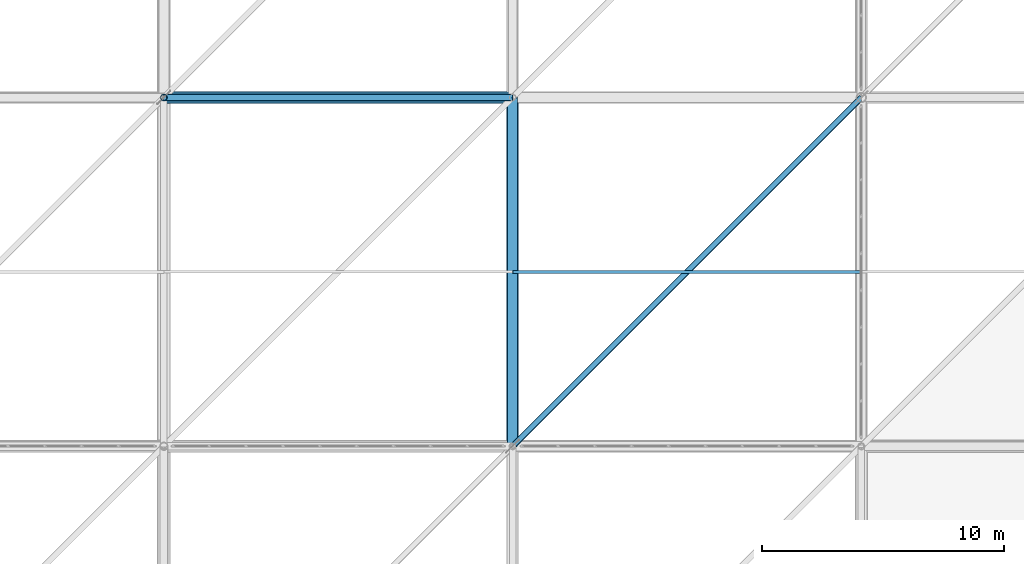
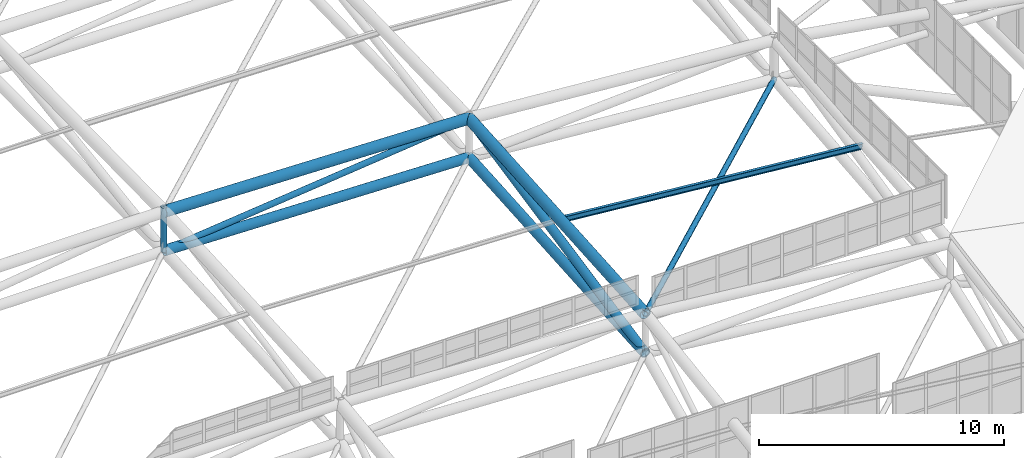
# One storey, part 132 of 397: 5 members, 4 beams.
"""IFC4 building model written with IfcOpenShell, lengths in metres."""

from ifc_helpers import new_model, si_unit, direction, frame, origin, origin_2d, place, context, subcontext, project, spatial, hollow_circle, i_section, extrude, material, material_profile, profile_set, type_object, element, save


model = new_model("IFC4")

# Units and contexts
model_context = context("Model", 3, precision=1e-05, world=origin(), true_north=direction((0.0, 1.0)))
body_context = subcontext(model_context, "Body", "Model", "MODEL_VIEW")
ifc_project = project(units=[si_unit("LENGTHUNIT", "METRE"), si_unit("AREAUNIT", "SQUARE_METRE"), si_unit("VOLUMEUNIT", "CUBIC_METRE"), si_unit("PLANEANGLEUNIT", "RADIAN"), si_unit("MASSUNIT", "GRAM", prefix="KILO")], contexts=[model_context])

# Site, building, storey
site_placement = place(None, origin())
site = spatial("IfcSite", under=ifc_project, at=site_placement, CompositionType="ELEMENT")
building_placement = place(site_placement, origin())
building = spatial("IfcBuilding", under=site, at=building_placement, Name="Qandorah Velis Arena", CompositionType="ELEMENT")
storey_placement = place(building_placement, frame((0.0, 0.0, 27.5)))
storey = spatial("IfcBuildingStorey", under=building, at=storey_placement, Name="RF", CompositionType="ELEMENT", Elevation=27.5)

# Member
ifc_material_1 = material(Name="Steel S355", Category="steel")
ifc_material_profile_1 = material_profile(ifc_material_1, i_section(OverallWidth=0.135009765625, OverallDepth=0.27001953125, WebThickness=0.006591796875, FlangeThickness=0.01025390625, FilletRadius=0.014892578125, at=origin_2d()), Name="IPE 270")
ifc_profile_set_1 = profile_set([ifc_material_profile_1], Name="Steel S355")
member_type_1 = type_object("IfcMemberType", Name="STR-PRL-IPE270", PredefinedType="PURLIN", material=ifc_profile_set_1)
member_1_placement = place(storey_placement, frame((86.39990234375, 36.0, 9.254150390625), z_axis=(0.995870478615, 0.0, -0.090785405346), x_axis=(0.0, 1.0, 0.0)))
element("IfcMember", 1, at=member_1_placement, inside=storey, type_object=member_type_1, Name="Arena roof purlin PRL-5.1", PredefinedType="PURLIN", context=body_context, shape_type="SweptSolid", body=[
    extrude(i_section(OverallWidth=0.135009765625, OverallDepth=0.27001953125, WebThickness=0.006591796875, FlangeThickness=0.01025390625, FilletRadius=0.014892578125, at=origin_2d()), origin(), (0.0, 0.0, 1.0), 14.4599609375),
])

# Beams
ifc_material_profile_2 = material_profile(ifc_material_1, hollow_circle(Radius=0.228515625, WallThickness=0.01611328125, at=origin_2d()), Name="CHS 457x16")
ifc_profile_set_2 = profile_set([ifc_material_profile_2], Name="Steel S355")
beam_type_1 = type_object("IfcBeamType", Name="STR-SFC-CHS457X16", PredefinedType="USERDEFINED", material=ifc_profile_set_2)
beam_1_placement = place(storey_placement, frame((86.39990234375, 28.800048828125, 7.009521484375), z_axis=(0.0, 0.997455093125, 0.0712975259), x_axis=(-1.0, 0.0, 0.0)))
element("IfcBeam", 2, at=beam_1_placement, inside=storey, type_object=beam_type_1, Name="Space frame roof truss bottom chord Y 5.1", ObjectType="ROOF TRUSS", PredefinedType="USERDEFINED", context=body_context, shape_type="SweptSolid", body=[
    extrude(hollow_circle(Radius=0.228515625, WallThickness=0.01611328125, at=origin_2d()), origin(), (0.0, 0.0, 1.0), 14.4365234375),
])
beam_2_placement = place(storey_placement, frame((72.0, 43.199951171875, 8.42333984375), z_axis=(0.999643663795, 0.0, -0.026693546683), x_axis=(0.0, 1.0, 0.0)))
element("IfcBeam", 3, at=beam_2_placement, inside=storey, type_object=beam_type_1, Name="Space frame roof truss bottom chord X 4.2", ObjectType="ROOF TRUSS", PredefinedType="USERDEFINED", context=body_context, shape_type="SweptSolid", body=[
    extrude(hollow_circle(Radius=0.228515625, WallThickness=0.01611328125, at=origin_2d()), origin(), (0.0, 0.0, 1.0), 14.405029296875),
])
ifc_material_profile_3 = material_profile(ifc_material_1, hollow_circle(Radius=0.25390625, WallThickness=0.02001953125, at=origin_2d()), Name="CHS 508x20")
ifc_profile_set_3 = profile_set([ifc_material_profile_3], Name="Steel S355")
beam_type_2 = type_object("IfcBeamType", Name="STR-SFC-CHS508X20", PredefinedType="USERDEFINED", material=ifc_profile_set_3)
beam_3_placement = place(storey_placement, frame((86.39990234375, 28.800048828125, 8.95947265625), z_axis=(0.0, 0.997455093125, 0.0712975259), x_axis=(-1.0, 0.0, 0.0)))
element("IfcBeam", 4, at=beam_3_placement, inside=storey, type_object=beam_type_2, Name="Space frame roof truss top chord Y 5.1", ObjectType="ROOF TRUSS", PredefinedType="USERDEFINED", context=body_context, shape_type="SweptSolid", body=[
    extrude(hollow_circle(Radius=0.25390625, WallThickness=0.02001953125, at=origin_2d()), origin(), (0.0, 0.0, 1.0), 14.4365234375),
])
beam_4_placement = place(storey_placement, frame((72.0, 43.199951171875, 10.373291015625), z_axis=(0.999643663795, 0.0, -0.026693546683), x_axis=(0.0, 1.0, 0.0)))
element("IfcBeam", 5, at=beam_4_placement, inside=storey, type_object=beam_type_2, Name="Space frame roof truss top chord X 4.2", ObjectType="ROOF TRUSS", PredefinedType="USERDEFINED", context=body_context, shape_type="SweptSolid", body=[
    extrude(hollow_circle(Radius=0.25390625, WallThickness=0.02001953125, at=origin_2d()), origin(), (0.0, 0.0, 1.0), 14.405029296875),
])

# Members
ifc_material_profile_4 = material_profile(ifc_material_1, hollow_circle(Radius=0.122314453125, WallThickness=0.012451171875, at=origin_2d()), Name="CHS 244.5x12.5")
ifc_profile_set_4 = profile_set([ifc_material_profile_4], Name="Steel S355")
member_type_2 = type_object("IfcMemberType", Name="STR-SFD-CHS244X12", PredefinedType="STRUT", material=ifc_profile_set_4)
member_2_placement = place(storey_placement, frame((100.800048828125, 43.199951171875, 6.90771484375), z_axis=(-0.703551025494, -0.703539097463, 0.10024316868), x_axis=(0.707100786953, -0.707112775369, 0.0)))
element("IfcMember", 6, at=member_2_placement, inside=storey, type_object=member_type_2, Name="Space frame roof spatial diagonal 5.1", PredefinedType="STRUT", context=body_context, shape_type="SweptSolid", body=[
    extrude(hollow_circle(Radius=0.122314453125, WallThickness=0.012451171875, at=origin_2d()), origin(), (0.0, 0.0, 1.0), 20.4677734375),
])
ifc_material_profile_5 = material_profile(ifc_material_1, hollow_circle(Radius=0.136474609375, WallThickness=0.012451171875, at=origin_2d()), Name="CHS 273x12.5")
ifc_profile_set_5 = profile_set([ifc_material_profile_5], Name="Steel S355")
member_type_3 = type_object("IfcMemberType", Name="STR-SFD-CHS273X12", PredefinedType="STRUT", material=ifc_profile_set_5)
member_3_placement = place(storey_placement, frame((72.0, 43.199951171875, 8.42333984375), z_axis=(0.0, 0.0, 1.0), x_axis=(1.0, 0.0, 0.0)))
element("IfcMember", 7, at=member_3_placement, inside=storey, type_object=member_type_3, Name="Space frame roof vertical post 4.2", PredefinedType="STRUT", context=body_context, shape_type="SweptSolid", body=[
    extrude(hollow_circle(Radius=0.136474609375, WallThickness=0.012451171875, at=origin_2d()), origin(), (0.0, 0.0, 1.0), 2.2099609375),
])
member_4_placement = place(storey_placement, frame((72.0, 43.199951171875, 8.42333984375), z_axis=(0.994142809728, 0.0, 0.108074390424), x_axis=(0.0, 1.0, 0.0)))
element("IfcMember", 8, at=member_4_placement, inside=storey, type_object=member_type_3, Name="Space frame roof diagonal X 4.2", PredefinedType="STRUT", context=body_context, shape_type="SweptSolid", body=[
    extrude(hollow_circle(Radius=0.136474609375, WallThickness=0.012451171875, at=origin_2d()), origin(), (0.0, 0.0, 1.0), 14.48486328125),
])
ifc_material_2 = material(Name="Steel S460", Category="steel")
ifc_material_profile_6 = material_profile(ifc_material_2, hollow_circle(Radius=0.203125, WallThickness=0.02001953125, at=origin_2d()), Name="CHS 406.4x20")
ifc_profile_set_6 = profile_set([ifc_material_profile_6], Name="Steel S460")
member_type_4 = type_object("IfcMemberType", Name="STR-SFD-CHS406X20", PredefinedType="STRUT", material=ifc_profile_set_6)
member_5_placement = place(storey_placement, frame((86.39990234375, 28.800048828125, 7.009521484375), z_axis=(0.0, 0.979260987441, 0.202602859003), x_axis=(-1.0, 0.0, 0.0)))
element("IfcMember", 9, at=member_5_placement, inside=storey, type_object=member_type_4, Name="Space frame roof diagonal Y 5.1", PredefinedType="STRUT", context=body_context, shape_type="SweptSolid", body=[
    extrude(hollow_circle(Radius=0.203125, WallThickness=0.02001953125, at=origin_2d()), origin(), (0.0, 0.0, 1.0), 14.704833984375),
])

save(model, "model.ifc")
